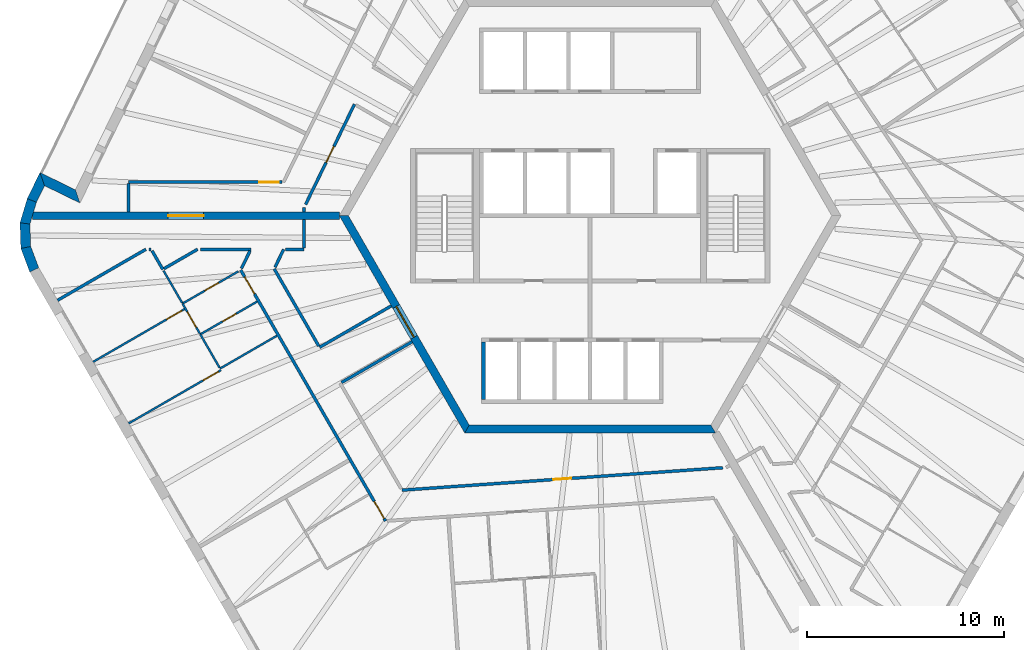
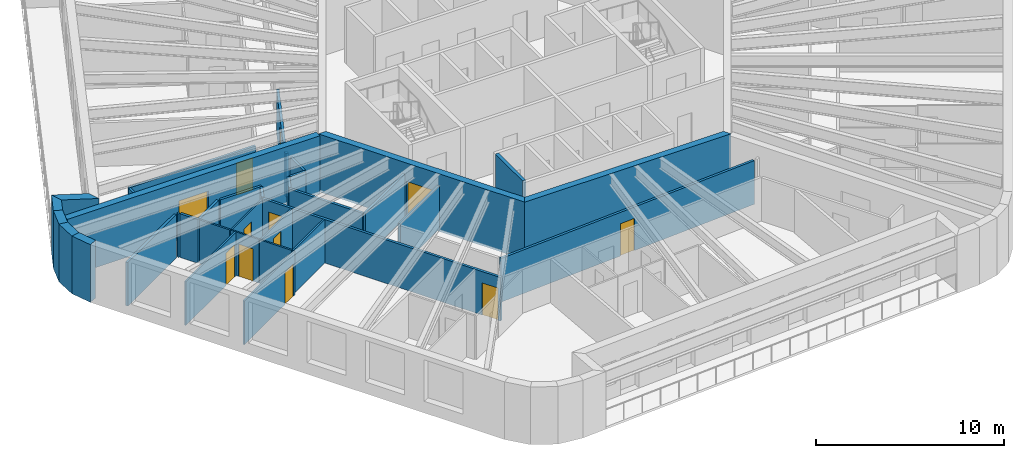
# One storey, part 4 of 12: 35 walls, 12 doors, 12 openings.
"""IFC4 building model written with IfcOpenShell, lengths in metres."""

from ifc_helpers import new_model, si_unit, direction, frame, frame_2d, origin, place, context, subcontext, project, spatial, polyline, rectangle, outline, extrude, material, layer, layer_set, type_object, element, fill, save


model = new_model("IFC4")

# Units and contexts
model_context = context("Model", 3, precision=1e-05, world=origin(), true_north=direction((0.0, 1.0)))
body_context = subcontext(model_context, "Body", "Model", "MODEL_VIEW")
ifc_project = project(units=[si_unit("LENGTHUNIT", "METRE"), si_unit("AREAUNIT", "SQUARE_METRE"), si_unit("VOLUMEUNIT", "CUBIC_METRE"), si_unit("PLANEANGLEUNIT", "RADIAN"), si_unit("MASSUNIT", "GRAM", prefix="KILO")], contexts=[model_context])

# Site, building, storey
site_placement = place(None, origin())
site = spatial("IfcSite", under=ifc_project, at=site_placement, CompositionType="ELEMENT")
building_placement = place(site_placement, origin())
building = spatial("IfcBuilding", under=site, at=building_placement, Name="Tarnside Tower", CompositionType="ELEMENT")
storey_placement = place(building_placement, frame((0.0, 0.0, 334.199951171875)))
storey = spatial("IfcBuildingStorey", under=building, at=storey_placement, Name="L81", CompositionType="ELEMENT", Elevation=334.199951171875)

# Wall
ifc_material_1 = material(Name="Gypsum board partition on steel studs", Category="steel")
ifc_layer_1 = layer(ifc_material_1, 0.10009765625)
ifc_layer_set_1 = layer_set([ifc_layer_1], Name="Bathroom wall 100")
wall_type_1 = type_object("IfcWallType", Name="Bathroom wall 100", PredefinedType="PARTITIONING", material=ifc_layer_set_1)
wall_1_placement = place(storey_placement, frame((-15.861083984375, -6.07763671875, 0.0), z_axis=(0.0, 0.0, 1.0), x_axis=(-0.866020521143, -0.500008456887, 0.0)))
element("IfcWall", 1, at=wall_1_placement, inside=storey, type_object=wall_type_1, Name="Bathroom wall 26109", PredefinedType="PARTITIONING", context=body_context, shape_type="SweptSolid", body=[
    extrude(rectangle(XDim=3.3251953125, YDim=0.10009765625, at=frame_2d((1.66259765625, 0.0))), origin(), (0.0, 0.0, 1.0), 2.837890625),
])

# Wall, opening, door
wall_2_placement = place(storey_placement, frame((-19.74072265625, -6.008056640625, 0.0), z_axis=(0.0, 0.0, 1.0), x_axis=(0.866052313871, 0.499953387465, 0.0)))
wall_2 = element("IfcWall", 2, at=wall_2_placement, inside=storey, type_object=wall_type_1, Name="Bathroom wall 26113", PredefinedType="PARTITIONING", context=body_context, shape_type="SweptSolid", body=[
    extrude(rectangle(XDim=3.324951171875, YDim=0.10009765625, at=frame_2d((1.66259765625, 0.0))), origin(), (0.0, 0.0, 1.0), 2.837890625),
])
opening_1_placement = place(wall_2_placement, frame((1.300048828125, 0.0, 0.0)))
opening_1 = element("IfcOpeningElement", 3, at=opening_1_placement, cuts=wall_2, Name="Opening D-B1", PredefinedType="OPENING", context=body_context, shape_type="SweptSolid", body=[
    extrude(rectangle(XDim=0.800048828125, YDim=2.10009765625, at=frame_2d((0.39990234375, 1.050048828125))), frame((0.0, 0.06005859375, 0.0), z_axis=(0.0, -1.0, 0.0), x_axis=(1.0, 0.0, 0.0)), (0.0, 0.0, 1.0), 0.1201171875),
])
ifc_material_2 = material(Name="Timber door leaf", Category="wood")
door_type_1 = type_object("IfcDoorType", Name="Bathroom door 800", OperationType="NOTDEFINED", PredefinedType="DOOR", material=ifc_material_2)
door_1_placement = place(opening_1_placement, origin())
door_1 = element("IfcDoor", 4, at=door_1_placement, inside=storey, type_object=door_type_1, Name="Bathroom door 26020", OperationType="SINGLE_SWING_LEFT", OverallHeight=2.10009765625, OverallWidth=0.800048828125, PredefinedType="DOOR", context=body_context, shape_type="SweptSolid", body=[
    extrude(rectangle(XDim=0.800048828125, YDim=2.10009765625, at=frame_2d((0.39990234375, 1.050048828125))), frame((0.0, 0.02490234375, 0.0), z_axis=(0.0, -1.0, 0.0), x_axis=(1.0, 0.0, 0.0)), (0.0, 0.0, 1.0), 0.050048828125),
])
fill(opening_1, door_1)

wall_3_placement = place(storey_placement, frame((-17.812255859375, -2.81640625, 0.0), z_axis=(0.0, 0.0, 1.0), x_axis=(-0.866044918084, -0.499966198718, 0.0)))
wall_3 = element("IfcWall", 5, at=wall_3_placement, inside=storey, type_object=wall_type_1, Name="Bathroom wall 26116", PredefinedType="PARTITIONING", context=body_context, shape_type="SweptSolid", body=[
    extrude(rectangle(XDim=3.265869140625, YDim=0.10009765625, at=frame_2d((1.6328125, 0.0))), origin(), (0.0, 0.0, 1.0), 2.837890625),
])
opening_2_placement = place(wall_3_placement, frame((1.165771484375, 0.0, 0.0)))
opening_2 = element("IfcOpeningElement", 6, at=opening_2_placement, cuts=wall_3, Name="Opening D-B1", PredefinedType="OPENING", context=body_context, shape_type="SweptSolid", body=[
    extrude(rectangle(XDim=0.800048828125, YDim=2.10009765625, at=frame_2d((0.39990234375, 1.050048828125))), frame((0.0, 0.06005859375, 0.0), z_axis=(0.0, -1.0, 0.0), x_axis=(1.0, 0.0, 0.0)), (0.0, 0.0, 1.0), 0.1201171875),
])
door_2_placement = place(opening_2_placement, origin())
door_2 = element("IfcDoor", 7, at=door_2_placement, inside=storey, type_object=door_type_1, Name="Bathroom door 26029", OperationType="SINGLE_SWING_RIGHT", OverallHeight=2.10009765625, OverallWidth=0.800048828125, PredefinedType="DOOR", context=body_context, shape_type="SweptSolid", body=[
    extrude(rectangle(XDim=0.800048828125, YDim=2.10009765625, at=frame_2d((0.39990234375, 1.050048828125))), frame((0.0, 0.02490234375, 0.0), z_axis=(0.0, -1.0, 0.0), x_axis=(1.0, 0.0, 0.0)), (0.0, 0.0, 1.0), 0.050048828125),
])
fill(opening_2, door_2)

# Walls
wall_4_placement = place(storey_placement, frame((-19.74169921875, -6.00634765625, 0.0), z_axis=(0.0, 0.0, 1.0), x_axis=(0.499982003349, -0.866035793907, 0.0)))
element("IfcWall", 8, at=wall_4_placement, inside=storey, type_object=wall_type_1, Name="Bathroom wall 26117", PredefinedType="PARTITIONING", context=body_context, shape_type="SweptSolid", body=[
    extrude(rectangle(XDim=1.9541015625, YDim=0.10009765625, at=frame_2d((0.97705078125, 0.0))), origin(), (0.0, 0.0, 1.0), 2.837890625),
])
wall_5_placement = place(storey_placement, frame((-20.665771484375, -4.406005859375, 0.0), z_axis=(0.0, 0.0, 1.0), x_axis=(-0.500004234368, 0.866022959057, 0.0)))
element("IfcWall", 9, at=wall_5_placement, inside=storey, type_object=wall_type_1, Name="Bathroom wall 26119", PredefinedType="PARTITIONING", context=body_context, shape_type="SweptSolid", body=[
    extrude(rectangle(XDim=1.875, YDim=0.10009765625, at=frame_2d((0.9375, 0.0))), origin(), (0.0, 0.0, 1.0), 2.837890625),
])

# Wall, opening, door
ifc_material_3 = material(Name="Concrete C60/75", Category="concrete")
ifc_layer_2 = layer(ifc_material_3, 0.39990234375)
ifc_layer_set_2 = layer_set([ifc_layer_2], Name="Core wall Z3 400 C60/75")
wall_type_2 = type_object("IfcWallType", Name="Core wall Z3 400 C60/75", PredefinedType="SHEAR", material=ifc_layer_set_2)
wall_6_placement = place(storey_placement, frame((-12.470703125, 0.0, -0.14990234375), z_axis=(0.0, 0.0, 1.0), x_axis=(0.499996419489, -0.866027470984, 0.0)))
wall_6 = element("IfcWall", 10, at=wall_6_placement, inside=storey, type_object=wall_type_2, Name="L81 core wall face 3", PredefinedType="SHEAR", context=body_context, shape_type="SweptSolid", body=[
    extrude(outline(polyline([(-0.115478515625, -0.199951171875), (12.586181640625, -0.199951171875), (12.355224609375, 0.199951171875), (0.115478515625, 0.199951171875), (-0.115478515625, -0.199951171875)])), origin(), (0.0, 0.0, 1.0), 3.75),
])
opening_3_placement = place(wall_6_placement, frame((5.306396484375, 0.0, 0.14990234375)))
opening_3 = element("IfcOpeningElement", 11, at=opening_3_placement, cuts=wall_6, Name="Opening CD-FFL", PredefinedType="OPENING", context=body_context, shape_type="SweptSolid", body=[
    extrude(rectangle(XDim=1.800048828125, YDim=2.39990234375, at=frame_2d((0.89990234375, 1.199951171875))), frame((0.0, 0.2099609375, 0.0), z_axis=(0.0, -1.0, 0.0), x_axis=(1.0, 0.0, 0.0)), (0.0, 0.0, 1.0), 0.419921875),
])
ifc_material_4 = material(Name="Steel fire door", Category="steel")
door_type_2 = type_object("IfcDoorType", Name="Firefighting lobby double door FD60S 1800x2400", OperationType="NOTDEFINED", PredefinedType="DOOR", material=ifc_material_4)
door_3_placement = place(opening_3_placement, origin())
door_3 = element("IfcDoor", 12, at=door_3_placement, inside=storey, type_object=door_type_2, Name="L81 core door P3", OperationType="DOUBLE_DOOR_SINGLE_SWING", OverallHeight=2.39990234375, OverallWidth=1.800048828125, PredefinedType="DOOR", context=body_context, shape_type="SweptSolid", body=[
    extrude(rectangle(XDim=1.800048828125, YDim=2.39990234375, at=frame_2d((0.89990234375, 1.199951171875))), frame((0.0, 0.02490234375, 0.0), z_axis=(0.0, -1.0, 0.0), x_axis=(1.0, 0.0, 0.0)), (0.0, 0.0, 1.0), 0.050048828125),
])
fill(opening_3, door_3)

# Wall
wall_7_placement = place(storey_placement, frame((-6.2353515625, -10.800048828125, -0.14990234375), z_axis=(0.0, 0.0, 1.0), x_axis=(1.0, 0.0, 0.0)))
element("IfcWall", 13, at=wall_7_placement, inside=storey, type_object=wall_type_2, Name="L81 core wall face 4", PredefinedType="SHEAR", context=body_context, shape_type="SweptSolid", body=[
    extrude(outline(polyline([(-0.115478515625, -0.199951171875), (12.586181640625, -0.199951171875), (12.355224609375, 0.199951171875), (0.115478515625, 0.199951171875), (-0.115478515625, -0.199951171875)])), origin(), (0.0, 0.0, 1.0), 3.75),
])

# Wall, opening, door
wall_8_placement = place(storey_placement, frame((-12.70166015625, 0.0, -0.14990234375), z_axis=(0.0, 0.0, 1.0), x_axis=(-1.0, 0.0, 0.0)))
wall_8 = element("IfcWall", 14, at=wall_8_placement, inside=storey, type_object=wall_type_2, Name="L81 spine wall 2", PredefinedType="SHEAR", context=body_context, shape_type="SweptSolid", body=[
    extrude(rectangle(XDim=15.54443359375, YDim=0.39990234375, at=frame_2d((7.772216796875, 0.0))), origin(), (0.0, 0.0, 1.0), 3.75),
])
opening_4_placement = place(wall_8_placement, frame((6.872314453125, 0.0, 0.14990234375)))
opening_4 = element("IfcOpeningElement", 15, at=opening_4_placement, cuts=wall_8, Name="Opening CD-SPN", PredefinedType="OPENING", context=body_context, shape_type="SweptSolid", body=[
    extrude(rectangle(XDim=1.800048828125, YDim=2.39990234375, at=frame_2d((0.89990234375, 1.199951171875))), frame((0.0, 0.2099609375, 0.0), z_axis=(0.0, -1.0, 0.0), x_axis=(1.0, 0.0, 0.0)), (0.0, 0.0, 1.0), 0.419921875),
])
door_type_3 = type_object("IfcDoorType", Name="Spine passage double door FD60 1800x2400", OperationType="NOTDEFINED", PredefinedType="DOOR", material=ifc_material_4)
door_4_placement = place(opening_4_placement, origin())
door_4 = element("IfcDoor", 16, at=door_4_placement, inside=storey, type_object=door_type_3, Name="L81 spine passage door 2", OperationType="DOUBLE_DOOR_SINGLE_SWING", OverallHeight=2.39990234375, OverallWidth=1.800048828125, PredefinedType="DOOR", context=body_context, shape_type="SweptSolid", body=[
    extrude(rectangle(XDim=1.800048828125, YDim=2.39990234375, at=frame_2d((0.89990234375, 1.199951171875))), frame((0.0, 0.02490234375, 0.0), z_axis=(0.0, -1.0, 0.0), x_axis=(1.0, 0.0, 0.0)), (0.0, 0.0, 1.0), 0.050048828125),
])
fill(opening_4, door_4)

ifc_layer_3 = layer(ifc_material_1, 0.14990234375)
ifc_layer_set_3 = layer_set([ifc_layer_3], Name="Corridor wall 150 EI 60")
wall_type_3 = type_object("IfcWallType", Name="Corridor wall 150 EI 60", PredefinedType="PARTITIONING", material=ifc_layer_set_3)
wall_9_placement = place(storey_placement, frame((-15.609619140625, 1.699951171875, 0.0), z_axis=(0.0, 0.0, 1.0), x_axis=(-1.0, 0.0, 0.0)))
wall_9 = element("IfcWall", 17, at=wall_9_placement, inside=storey, type_object=wall_type_3, Name="Corridor wall 26015", PredefinedType="PARTITIONING", context=body_context, shape_type="SweptSolid", body=[
    extrude(rectangle(XDim=7.764404296875, YDim=0.14990234375, at=frame_2d((3.88232421875, 0.0))), origin(), (0.0, 0.0, 1.0), 2.837890625),
])
opening_5_placement = place(wall_9_placement, frame((0.14990234375, 0.0, 0.0)))
opening_5 = element("IfcOpeningElement", 18, at=opening_5_placement, cuts=wall_9, Name="Opening D-E1", PredefinedType="OPENING", context=body_context, shape_type="SweptSolid", body=[
    extrude(rectangle(XDim=1.0, YDim=2.10009765625, at=frame_2d((0.5, 1.050048828125))), frame((0.0, 0.0849609375, 0.0), z_axis=(0.0, -1.0, 0.0), x_axis=(1.0, 0.0, 0.0)), (0.0, 0.0, 1.0), 0.169921875),
])
door_type_4 = type_object("IfcDoorType", Name="Unit entrance door 1000 FD30S", OperationType="NOTDEFINED", PredefinedType="DOOR", material=ifc_material_2)
door_5_placement = place(opening_5_placement, origin())
door_5 = element("IfcDoor", 19, at=door_5_placement, inside=storey, type_object=door_type_4, Name="Unit door 26018", OperationType="SINGLE_SWING_RIGHT", OverallHeight=2.10009765625, OverallWidth=1.0, PredefinedType="DOOR", context=body_context, shape_type="SweptSolid", body=[
    extrude(rectangle(XDim=1.0, YDim=2.10009765625, at=frame_2d((0.5, 1.050048828125))), frame((0.0, 0.02490234375, 0.0), z_axis=(0.0, -1.0, 0.0), x_axis=(1.0, 0.0, 0.0)), (0.0, 0.0, 1.0), 0.050048828125),
])
fill(opening_5, door_5)

# Walls
wall_10_placement = place(storey_placement, frame((-23.3740234375, 1.625, 0.0), z_axis=(0.0, 0.0, 1.0), x_axis=(0.0, -1.0, 0.0)))
element("IfcWall", 20, at=wall_10_placement, inside=storey, type_object=wall_type_3, Name="Corridor wall 26016", PredefinedType="PARTITIONING", context=body_context, shape_type="SweptSolid", body=[
    extrude(rectangle(XDim=1.425048828125, YDim=0.14990234375, at=frame_2d((0.71240234375, 0.0))), origin(), (0.0, 0.0, 1.0), 2.837890625),
])
wall_11_placement = place(storey_placement, frame((-14.486328125, 0.199951171875, 0.0), z_axis=(0.0, 0.0, 1.0), x_axis=(0.0, 1.0, 0.0)))
element("IfcWall", 21, at=wall_11_placement, inside=storey, type_object=wall_type_3, Name="Corridor wall 26023", PredefinedType="PARTITIONING", context=body_context, shape_type="SweptSolid", body=[
    extrude(rectangle(XDim=0.210205078125, YDim=0.14990234375, at=frame_2d((0.10498046875, 0.0))), origin(), (0.0, 0.0, 1.0), 2.837890625),
])

# Wall, opening, door
wall_12_placement = place(storey_placement, frame((-14.411376953125, 0.563720703125, 0.0), z_axis=(0.0, 0.0, 1.0), x_axis=(0.438363210996, 0.898797916801, 0.0)))
wall_12 = element("IfcWall", 22, at=wall_12_placement, inside=storey, type_object=wall_type_3, Name="Corridor wall 26024", PredefinedType="PARTITIONING", context=body_context, shape_type="SweptSolid", body=[
    extrude(rectangle(XDim=5.65234375, YDim=0.14990234375, at=frame_2d((2.826171875, 0.0))), origin(), (0.0, 0.0, 1.0), 2.837890625),
])
opening_6_placement = place(wall_12_placement, frame((2.376220703125, 0.0, 0.0)))
opening_6 = element("IfcOpeningElement", 23, at=opening_6_placement, cuts=wall_12, Name="Opening D-S1", PredefinedType="OPENING", context=body_context, shape_type="SweptSolid", body=[
    extrude(rectangle(XDim=0.89990234375, YDim=2.10009765625, at=frame_2d((0.449951171875, 1.050048828125))), frame((0.0, 0.0849609375, 0.0), z_axis=(0.0, -1.0, 0.0), x_axis=(1.0, 0.0, 0.0)), (0.0, 0.0, 1.0), 0.169921875),
])
door_type_5 = type_object("IfcDoorType", Name="Service room door 900 FD30S", OperationType="NOTDEFINED", PredefinedType="DOOR", material=ifc_material_2)
door_6_placement = place(opening_6_placement, origin())
door_6 = element("IfcDoor", 24, at=door_6_placement, inside=storey, type_object=door_type_5, Name="Service door 26073", OperationType="SINGLE_SWING_LEFT", OverallHeight=2.10009765625, OverallWidth=0.89990234375, PredefinedType="DOOR", context=body_context, shape_type="SweptSolid", body=[
    extrude(rectangle(XDim=0.89990234375, YDim=2.10009765625, at=frame_2d((0.449951171875, 1.050048828125))), frame((0.0, 0.02490234375, 0.0), z_axis=(0.0, -1.0, 0.0), x_axis=(1.0, 0.0, 0.0)), (0.0, 0.0, 1.0), 0.050048828125),
])
fill(opening_6, door_6)

# Wall, openings, doors
wall_13_placement = place(storey_placement, frame((-17.6962890625, -2.749267578125, 0.0), z_axis=(0.0, 0.0, 1.0), x_axis=(0.499997948852, -0.866026588012, 0.0)))
wall_13 = element("IfcWall", 25, at=wall_13_placement, inside=storey, type_object=wall_type_3, Name="Corridor wall 26026", PredefinedType="PARTITIONING", context=body_context, shape_type="SweptSolid", body=[
    extrude(rectangle(XDim=14.67724609375, YDim=0.14990234375, at=frame_2d((7.338623046875, 0.0))), origin(), (0.0, 0.0, 1.0), 2.837890625),
])
opening_7_placement = place(wall_13_placement, frame((0.39990234375, 0.0, 0.0)))
opening_7 = element("IfcOpeningElement", 26, at=opening_7_placement, cuts=wall_13, Name="Opening D-E1", PredefinedType="OPENING", context=body_context, shape_type="SweptSolid", body=[
    extrude(rectangle(XDim=1.0, YDim=2.10009765625, at=frame_2d((0.5, 1.050048828125))), frame((0.0, 0.0849609375, 0.0), z_axis=(0.0, -1.0, 0.0), x_axis=(1.0, 0.0, 0.0)), (0.0, 0.0, 1.0), 0.169921875),
])
opening_8_placement = place(wall_13_placement, frame((13.52734375, 0.0, 0.0)))
opening_8 = element("IfcOpeningElement", 27, at=opening_8_placement, cuts=wall_13, Name="Opening D-E1", PredefinedType="OPENING", context=body_context, shape_type="SweptSolid", body=[
    extrude(rectangle(XDim=1.0, YDim=2.10009765625, at=frame_2d((0.5, 1.050048828125))), frame((0.0, 0.0849609375, 0.0), z_axis=(0.0, -1.0, 0.0), x_axis=(1.0, 0.0, 0.0)), (0.0, 0.0, 1.0), 0.169921875),
])
door_7_placement = place(opening_7_placement, origin())
door_7 = element("IfcDoor", 28, at=door_7_placement, inside=storey, type_object=door_type_4, Name="Unit door 26019", OperationType="SINGLE_SWING_RIGHT", OverallHeight=2.10009765625, OverallWidth=1.0, PredefinedType="DOOR", context=body_context, shape_type="SweptSolid", body=[
    extrude(rectangle(XDim=1.0, YDim=2.10009765625, at=frame_2d((0.5, 1.050048828125))), frame((0.0, 0.02490234375, 0.0), z_axis=(0.0, -1.0, 0.0), x_axis=(1.0, 0.0, 0.0)), (0.0, 0.0, 1.0), 0.050048828125),
])
fill(opening_7, door_7)
door_8_placement = place(opening_8_placement, origin())
door_8 = element("IfcDoor", 29, at=door_8_placement, inside=storey, type_object=door_type_4, Name="Unit door 26030", OperationType="SINGLE_SWING_LEFT", OverallHeight=2.10009765625, OverallWidth=1.0, PredefinedType="DOOR", context=body_context, shape_type="SweptSolid", body=[
    extrude(rectangle(XDim=1.0, YDim=2.10009765625, at=frame_2d((0.5, 1.050048828125))), frame((0.0, 0.02490234375, 0.0), z_axis=(0.0, -1.0, 0.0), x_axis=(1.0, 0.0, 0.0)), (0.0, 0.0, 1.0), 0.050048828125),
])
fill(opening_8, door_8)

# Walls
wall_14_placement = place(storey_placement, frame((-26.97119140625, -4.284423828125, 0.0), z_axis=(0.0, 0.0, 1.0), x_axis=(0.866019619451, 0.500010018626, 0.0)))
element("IfcWall", 30, at=wall_14_placement, inside=storey, type_object=wall_type_3, Name="Corridor wall 26029", PredefinedType="PARTITIONING", context=body_context, shape_type="SweptSolid", body=[
    extrude(rectangle(XDim=5.1689453125, YDim=0.14990234375, at=frame_2d((2.58447265625, 0.0))), origin(), (0.0, 0.0, 1.0), 2.837890625),
])
wall_15_placement = place(storey_placement, frame((-22.344970703125, -1.699951171875, 0.0), z_axis=(0.0, 0.0, 1.0), x_axis=(1.0, 0.0, 0.0)))
element("IfcWall", 31, at=wall_15_placement, inside=storey, type_object=wall_type_3, Name="Corridor wall 26030", PredefinedType="PARTITIONING", context=body_context, shape_type="SweptSolid", body=[
    extrude(rectangle(XDim=0.116943359375, YDim=0.14990234375, at=frame_2d((0.05859375, 0.0))), origin(), (0.0, 0.0, 1.0), 2.837890625),
])
wall_16_placement = place(storey_placement, frame((-22.1845703125, -1.77490234375, 0.0), z_axis=(0.0, 0.0, 1.0), x_axis=(0.499819250349, -0.866129734497, 0.0)))
element("IfcWall", 32, at=wall_16_placement, inside=storey, type_object=wall_type_3, Name="Corridor wall 26031", PredefinedType="PARTITIONING", context=body_context, shape_type="SweptSolid", body=[
    extrude(rectangle(XDim=1.091796875, YDim=0.14990234375, at=frame_2d((0.5458984375, 0.0))), origin(), (0.0, 0.0, 1.0), 2.837890625),
])
wall_17_placement = place(storey_placement, frame((-21.57568359375, -2.6796875, 0.0), z_axis=(0.0, 0.0, 1.0), x_axis=(0.866034128446, 0.499984888139, 0.0)))
element("IfcWall", 33, at=wall_17_placement, inside=storey, type_object=wall_type_3, Name="Corridor wall 26032", PredefinedType="PARTITIONING", context=body_context, shape_type="SweptSolid", body=[
    extrude(rectangle(XDim=1.95947265625, YDim=0.14990234375, at=frame_2d((0.979736328125, 0.0))), origin(), (0.0, 0.0, 1.0), 2.837890625),
])
wall_18_placement = place(storey_placement, frame((-19.728759765625, -1.699951171875, 0.0), z_axis=(0.0, 0.0, 1.0), x_axis=(1.0, 0.0, 0.0)))
element("IfcWall", 34, at=wall_18_placement, inside=storey, type_object=wall_type_3, Name="Corridor wall 26033", PredefinedType="PARTITIONING", context=body_context, shape_type="SweptSolid", body=[
    extrude(rectangle(XDim=2.54443359375, YDim=0.14990234375, at=frame_2d((1.272216796875, 0.0))), origin(), (0.0, 0.0, 1.0), 2.837890625),
])
wall_19_placement = place(storey_placement, frame((-17.220947265625, -1.77490234375, 0.0), z_axis=(0.0, 0.0, 1.0), x_axis=(-0.43834617456, -0.89880622564, 0.0)))
element("IfcWall", 35, at=wall_19_placement, inside=storey, type_object=wall_type_3, Name="Corridor wall 26034", PredefinedType="PARTITIONING", context=body_context, shape_type="SweptSolid", body=[
    extrude(rectangle(XDim=0.99365234375, YDim=0.14990234375, at=frame_2d((0.496826171875, 0.0))), origin(), (0.0, 0.0, 1.0), 2.837890625),
])
wall_20_placement = place(storey_placement, frame((-10.065673828125, -4.565673828125, 0.0), z_axis=(0.0, 0.0, 1.0), x_axis=(-0.866023935413, -0.500002543286, 0.0)))
element("IfcWall", 36, at=wall_20_placement, inside=storey, type_object=wall_type_3, Name="Corridor wall 26045", PredefinedType="PARTITIONING", context=body_context, shape_type="SweptSolid", body=[
    extrude(rectangle(XDim=4.2001953125, YDim=0.14990234375, at=frame_2d((2.10009765625, 0.0))), origin(), (0.0, 0.0, 1.0), 2.837890625),
])
wall_21_placement = place(storey_placement, frame((-13.740478515625, -6.600830078125, 0.0), z_axis=(0.0, 0.0, 1.0), x_axis=(-0.499976727135, 0.866038839962, 0.0)))
element("IfcWall", 37, at=wall_21_placement, inside=storey, type_object=wall_type_3, Name="Corridor wall 26046", PredefinedType="PARTITIONING", context=body_context, shape_type="SweptSolid", body=[
    extrude(rectangle(XDim=4.515869140625, YDim=0.14990234375, at=frame_2d((2.2578125, 0.0))), origin(), (0.0, 0.0, 1.0), 2.837890625),
])
wall_22_placement = place(storey_placement, frame((-15.958740234375, -2.608642578125, 0.0), z_axis=(0.0, 0.0, 1.0), x_axis=(0.43849974808, 0.898731311869, 0.0)))
element("IfcWall", 38, at=wall_22_placement, inside=storey, type_object=wall_type_3, Name="Corridor wall 26047", PredefinedType="PARTITIONING", context=body_context, shape_type="SweptSolid", body=[
    extrude(rectangle(XDim=1.010986328125, YDim=0.14990234375, at=frame_2d((0.50537109375, 0.0))), origin(), (0.0, 0.0, 1.0), 2.837890625),
])
wall_23_placement = place(storey_placement, frame((-15.43212890625, -1.699951171875, 0.0), z_axis=(0.0, 0.0, 1.0), x_axis=(1.0, 0.0, 0.0)))
element("IfcWall", 39, at=wall_23_placement, inside=storey, type_object=wall_type_3, Name="Corridor wall 26048", PredefinedType="PARTITIONING", context=body_context, shape_type="SweptSolid", body=[
    extrude(rectangle(XDim=0.94580078125, YDim=0.14990234375, at=frame_2d((0.472900390625, 0.0))), origin(), (0.0, 0.0, 1.0), 2.837890625),
])
wall_24_placement = place(storey_placement, frame((-14.486328125, -1.625, 0.0), z_axis=(0.0, 0.0, 1.0), x_axis=(0.0, 1.0, 0.0)))
element("IfcWall", 40, at=wall_24_placement, inside=storey, type_object=wall_type_3, Name="Corridor wall 26049", PredefinedType="PARTITIONING", context=body_context, shape_type="SweptSolid", body=[
    extrude(rectangle(XDim=1.425048828125, YDim=0.14990234375, at=frame_2d((0.71240234375, 0.0))), origin(), (0.0, 0.0, 1.0), 2.837890625),
])

# Wall, opening, door
wall_25_placement = place(storey_placement, frame((6.71728515625, -12.762451171875, 0.0), z_axis=(0.0, 0.0, 1.0), x_axis=(-0.99756375843, -0.069760646978, 0.0)))
wall_25 = element("IfcWall", 41, at=wall_25_placement, inside=storey, type_object=wall_type_3, Name="Corridor wall 26051", PredefinedType="PARTITIONING", context=body_context, shape_type="SweptSolid", body=[
    extrude(rectangle(XDim=16.283935546875, YDim=0.14990234375, at=frame_2d((8.14208984375, 0.0))), origin(), (0.0, 0.0, 1.0), 2.837890625),
])
opening_9_placement = place(wall_25_placement, frame((7.692138671875, 0.0, 0.0)))
opening_9 = element("IfcOpeningElement", 42, at=opening_9_placement, cuts=wall_25, Name="Opening D-S1", PredefinedType="OPENING", context=body_context, shape_type="SweptSolid", body=[
    extrude(rectangle(XDim=0.89990234375, YDim=2.10009765625, at=frame_2d((0.449951171875, 1.050048828125))), frame((0.0, 0.0849609375, 0.0), z_axis=(0.0, -1.0, 0.0), x_axis=(1.0, 0.0, 0.0)), (0.0, 0.0, 1.0), 0.169921875),
])
door_9_placement = place(opening_9_placement, origin())
door_9 = element("IfcDoor", 43, at=door_9_placement, inside=storey, type_object=door_type_5, Name="Service door 26074", OperationType="SINGLE_SWING_RIGHT", OverallHeight=2.10009765625, OverallWidth=0.89990234375, PredefinedType="DOOR", context=body_context, shape_type="SweptSolid", body=[
    extrude(rectangle(XDim=0.89990234375, YDim=2.10009765625, at=frame_2d((0.449951171875, 1.050048828125))), frame((0.0, 0.02490234375, 0.0), z_axis=(0.0, -1.0, 0.0), x_axis=(1.0, 0.0, 0.0)), (0.0, 0.0, 1.0), 0.050048828125),
])
fill(opening_9, door_9)

# Walls
wall_26_placement = place(storey_placement, frame((-12.588134765625, -8.44677734375, 0.0), z_axis=(0.0, 0.0, 1.0), x_axis=(0.866034795751, 0.499983732284, 0.0)))
element("IfcWall", 44, at=wall_26_placement, inside=storey, type_object=wall_type_3, Name="Corridor wall 26053", PredefinedType="PARTITIONING", context=body_context, shape_type="SweptSolid", body=[
    extrude(rectangle(XDim=4.125244140625, YDim=0.14990234375, at=frame_2d((2.0625, 0.0))), origin(), (0.0, 0.0, 1.0), 2.837890625),
])
ifc_material_5 = material(Name="Concrete C40/50", Category="concrete")
ifc_layer_4 = layer(ifc_material_5, 0.199951171875)
ifc_layer_set_4 = layer_set([ifc_layer_4], Name="Lift shaft wall 200 C40/50")
wall_type_4 = type_object("IfcWallType", Name="Lift shaft wall 200 C40/50", PredefinedType="SHEAR", material=ifc_layer_set_4)
wall_27_placement = place(storey_placement, frame((-5.39990234375, -9.300048828125, -0.25), z_axis=(0.0, 0.0, 1.0), x_axis=(0.0, 1.0, 0.0)))
element("IfcWall", 45, at=wall_27_placement, inside=storey, type_object=wall_type_4, Name="L81 lift shaft partition R41", PredefinedType="SHEAR", context=body_context, shape_type="SweptSolid", body=[
    extrude(rectangle(XDim=2.900146484375, YDim=0.199951171875, at=frame_2d((1.4501953125, 0.0))), origin(), (0.0, 0.0, 1.0), 3.900146484375),
])
ifc_material_6 = material(Name="Dark zinc cladding")
ifc_layer_5 = layer(ifc_material_6, 0.10205078125)
ifc_material_7 = material(Name="Concrete C60/75 precast", Category="concrete")
ifc_layer_6 = layer(ifc_material_7, 0.298095703125)
ifc_material_8 = material(Name="Mineral wool insulation")
ifc_layer_7 = layer(ifc_material_8, 0.10009765625)
ifc_layer_set_5 = layer_set([ifc_layer_5, ifc_layer_6, ifc_layer_7], Name="Loggia wall 500 zinc faced")
wall_type_5 = type_object("IfcWallType", Name="Loggia wall 500 zinc faced", PredefinedType="SOLIDWALL", material=ifc_layer_set_5)
wall_28_placement = place(storey_placement, frame((-25.9482421875, 0.97607421875, -0.14990234375), z_axis=(0.0, 0.0, 1.0), x_axis=(-0.898802465371, 0.438353884714, 0.0)))
element("IfcWall", 46, at=wall_28_placement, inside=storey, type_object=wall_type_5, Name="Tube wall L81 F2 return 07", PredefinedType="SOLIDWALL", context=body_context, shape_type="SweptSolid", body=[
    extrude(outline(polyline([(0.25, -0.25), (2.25, -0.25), (1.75, 0.25), (-0.25, 0.25), (0.25, -0.25)])), origin(), (0.0, 0.0, 1.0), 3.75),
])
wall_29_placement = place(storey_placement, frame((-27.745849609375, 1.852783203125, -0.14990234375), z_axis=(0.0, 0.0, 1.0), x_axis=(-0.438319390103, -0.898819287877, 0.0)))
element("IfcWall", 47, at=wall_29_placement, inside=storey, type_object=wall_type_5, Name="Tube wall L81 F2 stub 08", PredefinedType="SOLIDWALL", context=body_context, shape_type="SweptSolid", body=[
    extrude(outline(polyline([(-0.25, -0.25), (1.22021484375, -0.25), (1.17919921875, 0.25), (0.25, 0.25), (-0.25, -0.25)])), origin(), (0.0, 0.0, 1.0), 3.75),
])

# Wall, opening, door
ifc_layer_8 = layer(ifc_material_1, 0.10009765625)
ifc_layer_set_6 = layer_set([ifc_layer_8], Name="Partition 100")
wall_type_6 = type_object("IfcWallType", Name="Partition 100", PredefinedType="PARTITIONING", material=ifc_layer_set_6)
wall_30_placement = place(storey_placement, frame((-18.69482421875, -7.81982421875, 0.0), z_axis=(0.0, 0.0, 1.0), x_axis=(-0.866028230842, -0.499995103361, 0.0)))
wall_30 = element("IfcWall", 48, at=wall_30_placement, inside=storey, type_object=wall_type_6, Name="Partition wall 26110", PredefinedType="PARTITIONING", context=body_context, shape_type="SweptSolid", body=[
    extrude(rectangle(XDim=5.39990234375, YDim=0.10009765625, at=frame_2d((2.699951171875, 0.0))), origin(), (0.0, 0.0, 1.0), 2.837890625),
])
opening_10_placement = place(wall_30_placement, frame((0.14990234375, 0.0, 0.0)))
opening_10 = element("IfcOpeningElement", 49, at=opening_10_placement, cuts=wall_30, Name="Opening D-I1", PredefinedType="OPENING", context=body_context, shape_type="SweptSolid", body=[
    extrude(rectangle(XDim=0.89990234375, YDim=2.10009765625, at=frame_2d((0.449951171875, 1.050048828125))), frame((0.0, 0.06005859375, 0.0), z_axis=(0.0, -1.0, 0.0), x_axis=(1.0, 0.0, 0.0)), (0.0, 0.0, 1.0), 0.1201171875),
])
door_type_6 = type_object("IfcDoorType", Name="Internal door 900", OperationType="NOTDEFINED", PredefinedType="DOOR", material=ifc_material_2)
door_10_placement = place(opening_10_placement, origin())
door_10 = element("IfcDoor", 50, at=door_10_placement, inside=storey, type_object=door_type_6, Name="Internal door 26028", OperationType="SINGLE_SWING_RIGHT", OverallHeight=2.10009765625, OverallWidth=0.89990234375, PredefinedType="DOOR", context=body_context, shape_type="SweptSolid", body=[
    extrude(rectangle(XDim=0.89990234375, YDim=2.10009765625, at=frame_2d((0.449951171875, 1.050048828125))), frame((0.0, 0.02490234375, 0.0), z_axis=(0.0, -1.0, 0.0), x_axis=(1.0, 0.0, 0.0)), (0.0, 0.0, 1.0), 0.050048828125),
])
fill(opening_10, door_10)

wall_31_placement = place(storey_placement, frame((-20.6416015625, -4.447509765625, 0.0), z_axis=(0.0, 0.0, 1.0), x_axis=(0.499971461383, -0.866041879935, 0.0)))
wall_31 = element("IfcWall", 51, at=wall_31_placement, inside=storey, type_object=wall_type_6, Name="Partition wall 26114", PredefinedType="PARTITIONING", context=body_context, shape_type="SweptSolid", body=[
    extrude(rectangle(XDim=1.75390625, YDim=0.10009765625, at=frame_2d((0.876953125, 0.0))), origin(), (0.0, 0.0, 1.0), 2.837890625),
])
opening_11_placement = place(wall_31_placement, frame((0.493896484375, 0.0, 0.0)))
opening_11 = element("IfcOpeningElement", 52, at=opening_11_placement, cuts=wall_31, Name="Opening D-I1", PredefinedType="OPENING", context=body_context, shape_type="SweptSolid", body=[
    extrude(rectangle(XDim=0.89990234375, YDim=2.10009765625, at=frame_2d((0.449951171875, 1.050048828125))), frame((0.0, 0.06005859375, 0.0), z_axis=(0.0, -1.0, 0.0), x_axis=(1.0, 0.0, 0.0)), (0.0, 0.0, 1.0), 0.1201171875),
])
door_11_placement = place(opening_11_placement, origin())
door_11 = element("IfcDoor", 53, at=door_11_placement, inside=storey, type_object=door_type_6, Name="Internal door 26023", OperationType="SINGLE_SWING_RIGHT", OverallHeight=2.10009765625, OverallWidth=0.89990234375, PredefinedType="DOOR", context=body_context, shape_type="SweptSolid", body=[
    extrude(rectangle(XDim=0.89990234375, YDim=2.10009765625, at=frame_2d((0.449951171875, 1.050048828125))), frame((0.0, 0.02490234375, 0.0), z_axis=(0.0, -1.0, 0.0), x_axis=(1.0, 0.0, 0.0)), (0.0, 0.0, 1.0), 0.050048828125),
])
fill(opening_11, door_11)

wall_32_placement = place(storey_placement, frame((-25.171142578125, -7.402099609375, 0.0), z_axis=(0.0, 0.0, 1.0), x_axis=(0.866013074135, 0.500021354972, 0.0)))
wall_32 = element("IfcWall", 54, at=wall_32_placement, inside=storey, type_object=wall_type_6, Name="Partition wall 26118", PredefinedType="PARTITIONING", context=body_context, shape_type="SweptSolid", body=[
    extrude(rectangle(XDim=5.349853515625, YDim=0.10009765625, at=frame_2d((2.6748046875, 0.0))), origin(), (0.0, 0.0, 1.0), 2.837890625),
])
opening_12_placement = place(wall_32_placement, frame((4.300048828125, 0.0, 0.0)))
opening_12 = element("IfcOpeningElement", 55, at=opening_12_placement, cuts=wall_32, Name="Opening D-I1", PredefinedType="OPENING", context=body_context, shape_type="SweptSolid", body=[
    extrude(rectangle(XDim=0.89990234375, YDim=2.10009765625, at=frame_2d((0.449951171875, 1.050048828125))), frame((0.0, 0.06005859375, 0.0), z_axis=(0.0, -1.0, 0.0), x_axis=(1.0, 0.0, 0.0)), (0.0, 0.0, 1.0), 0.1201171875),
])
door_12_placement = place(opening_12_placement, origin())
door_12 = element("IfcDoor", 56, at=door_12_placement, inside=storey, type_object=door_type_6, Name="Internal door 26026", OperationType="SINGLE_SWING_RIGHT", OverallHeight=2.10009765625, OverallWidth=0.89990234375, PredefinedType="DOOR", context=body_context, shape_type="SweptSolid", body=[
    extrude(rectangle(XDim=0.89990234375, YDim=2.10009765625, at=frame_2d((0.449951171875, 1.050048828125))), frame((0.0, 0.02490234375, 0.0), z_axis=(0.0, -1.0, 0.0), x_axis=(1.0, 0.0, 0.0)), (0.0, 0.0, 1.0), 0.050048828125),
])
fill(opening_12, door_12)

# Walls
ifc_material_9 = material(Name="Facing brick", Category="masonry")
ifc_layer_9 = layer(ifc_material_9, 0.10205078125)
ifc_layer_10 = layer(ifc_material_7, 0.298095703125)
ifc_layer_11 = layer(ifc_material_8, 0.10009765625)
ifc_layer_set_7 = layer_set([ifc_layer_9, ifc_layer_10, ifc_layer_11], Name="Tube wall 500 brick faced")
wall_type_7 = type_object("IfcWallType", Name="Tube wall 500 brick faced", PredefinedType="SOLIDWALL", material=ifc_layer_set_7)
wall_33_placement = place(storey_placement, frame((-28.271728515625, 0.7744140625, -0.14990234375), z_axis=(0.0, 0.0, 1.0), x_axis=(-0.286813843218, -0.957986335674, 0.0)))
element("IfcWall", 57, at=wall_33_placement, inside=storey, type_object=wall_type_7, Name="Tube wall L81 F2 chord 09", PredefinedType="SOLIDWALL", context=body_context, shape_type="SweptSolid", body=[
    extrude(outline(polyline([(-0.0205078125, -0.25), (1.25732421875, -0.25), (1.17529296875, 0.25), (0.0205078125, 0.25), (-0.0205078125, -0.25)])), origin(), (0.0, 0.0, 1.0), 3.75),
])
wall_34_placement = place(storey_placement, frame((-28.62060546875, -0.390869140625, -0.14990234375), z_axis=(0.0, 0.0, 1.0), x_axis=(0.034925456137, -0.999389920158, 0.0)))
element("IfcWall", 58, at=wall_34_placement, inside=storey, type_object=wall_type_7, Name="Tube wall L81 F2 chord 10", PredefinedType="SOLIDWALL", context=body_context, shape_type="SweptSolid", body=[
    extrude(outline(polyline([(-0.041015625, -0.25), (1.25732421875, -0.25), (1.17529296875, 0.25), (0.041015625, 0.25), (-0.041015625, -0.25)])), origin(), (0.0, 0.0, 1.0), 3.75),
])
wall_35_placement = place(storey_placement, frame((-28.578125, -1.6064453125, -0.14990234375), z_axis=(0.0, 0.0, 1.0), x_axis=(0.352838463023, -0.935684251771, 0.0)))
element("IfcWall", 59, at=wall_35_placement, inside=storey, type_object=wall_type_7, Name="Tube wall L81 F2 chord 11", PredefinedType="SOLIDWALL", context=body_context, shape_type="SweptSolid", body=[
    extrude(outline(polyline([(-0.041015625, -0.25), (1.23681640625, -0.25), (1.19580078125, 0.25), (0.041015625, 0.25), (-0.041015625, -0.25)])), origin(), (0.0, 0.0, 1.0), 3.75),
])

save(model, "model.ifc")
